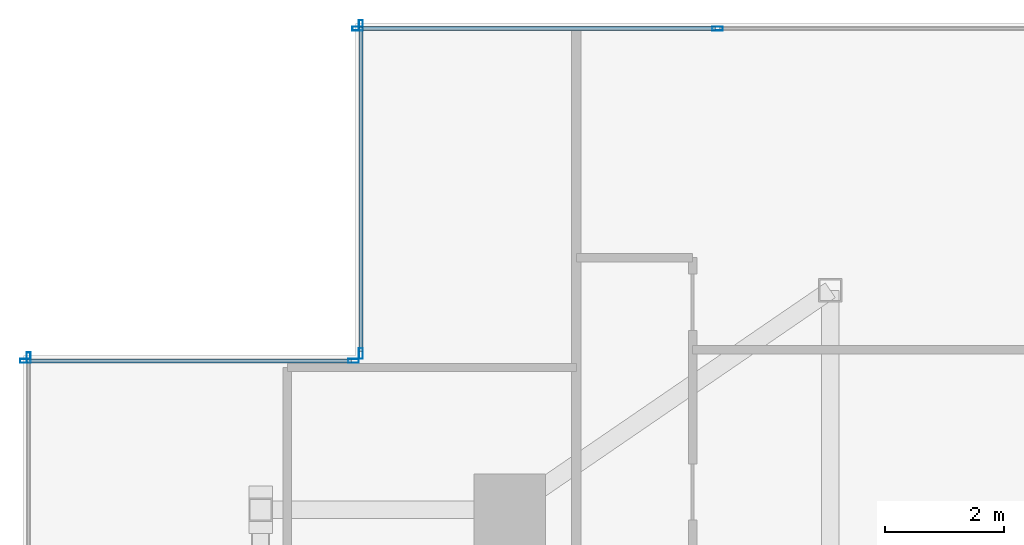
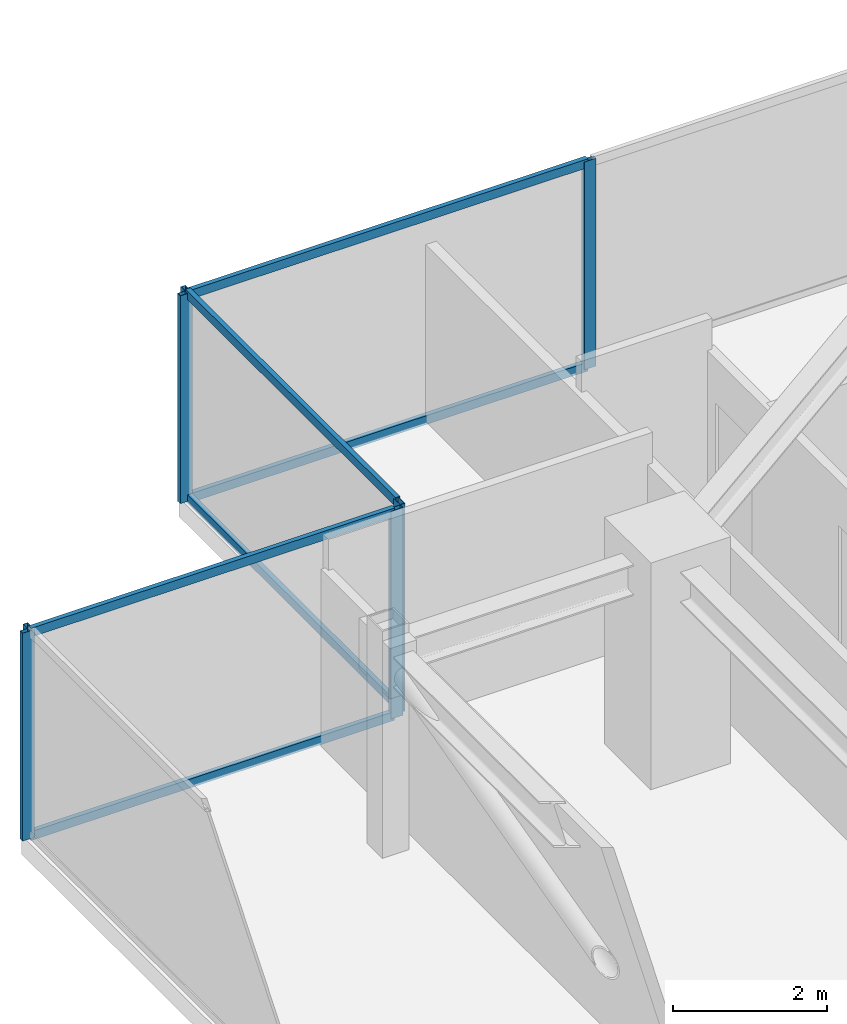
# One storey, part 12 of 16: 13 members, 4 elements without a shape of their own.
"""IFC4 building model written with IfcOpenShell, lengths in metres."""

from ifc_helpers import new_model, si_unit, direction, frame, origin, origin_2d, place, context, subcontext, project, spatial, hollow_rectangle, extrude, source, transform, mapped, material, material_profile, profile_set, type_object, type_shapes, element, aggregate, save


model = new_model("IFC4")

# Units and contexts
model_context = context("Model", 3, precision=1e-05, world=origin(), true_north=direction((0.0, 1.0)))
body_context = subcontext(model_context, "Body", "Model", "MODEL_VIEW")
ifc_project = project(units=[si_unit("LENGTHUNIT", "METRE"), si_unit("AREAUNIT", "SQUARE_METRE"), si_unit("VOLUMEUNIT", "CUBIC_METRE"), si_unit("PLANEANGLEUNIT", "RADIAN"), si_unit("MASSUNIT", "GRAM", prefix="KILO")], contexts=[model_context])

# Site, building, storey
site_placement = place(None, origin())
site = spatial("IfcSite", under=ifc_project, at=site_placement, CompositionType="ELEMENT")
building_placement = place(site_placement, origin())
building = spatial("IfcBuilding", under=site, at=building_placement, Name="Krantzveldt Concourse Tower", CompositionType="ELEMENT")
storey_placement = place(building_placement, frame((0.0, 0.0, 381.85009765625)))
storey = spatial("IfcBuildingStorey", under=building, at=storey_placement, Name="L94", CompositionType="ELEMENT", Elevation=381.85009765625)

# Curtain wall, members
ifc_material = material(Name="Anodised aluminium 6063-T6", Category="aluminium")
curtain_wall_type = type_object("IfcCurtainWallType", Name="CW7", PredefinedType="USERDEFINED", material=ifc_material)
curtain_wall_1_placement = place(storey_placement, origin())
curtain_wall_1 = element("IfcCurtainWall", 1, at=curtain_wall_1_placement, inside=storey, type_object=curtain_wall_type, Name="CW-L94-WEST-03", ObjectType="UNITISED CURTAIN WALL", PredefinedType="USERDEFINED")
ifc_material_profile_1 = material_profile(ifc_material, hollow_rectangle(XDim=0.070068359375, YDim=0.139892578125, WallThickness=0.0048828125, at=origin_2d()), Name="Anodised aluminium 6063-T6", Category="aluminium")
ifc_profile_set_1 = profile_set([ifc_material_profile_1], Name="Anodised aluminium 6063-T6 - ALU-TRAN 140x70x5")
member_type_1 = type_object("IfcMemberType", Name="CW-TRN-150", PredefinedType="USERDEFINED", material=ifc_profile_set_1)
shared_shape_1 = source(origin(), body_context, "Body", "SweptSolid", [
    extrude(hollow_rectangle(XDim=0.070068359375, YDim=0.139892578125, WallThickness=0.0048828125, at=origin_2d()), origin(), (0.0, 0.0, 1.0), 5.4599609375),
])
member_1_placement = place(storey_placement, frame((22.68994140625, 45.6298828125, 0.034912109375), z_axis=(0.0, -1.0, 0.0), x_axis=(1.0, 0.0, 0.0)))
member_1 = element("IfcMember", 2, at=member_1_placement, type_object=member_type_1, Name="CW-CRN transom 1.1", ObjectType="TRANSOM", PredefinedType="USERDEFINED", context=body_context, shape_type="MappedRepresentation", body=[
    mapped(shared_shape_1, transform((0.0, 0.0, 0.0), x_axis=(1.0, 0.0, 0.0), y_axis=(0.0, 1.0, 0.0), z_axis=(0.0, 0.0, 1.0), scale=1.0)),
])
member_2_placement = place(storey_placement, frame((22.68994140625, 45.6298828125, 3.264892578125), z_axis=(0.0, -1.0, 0.0), x_axis=(1.0, 0.0, 0.0)))
member_2 = element("IfcMember", 3, at=member_2_placement, type_object=member_type_1, Name="CW-CRN transom 1.2", ObjectType="TRANSOM", PredefinedType="USERDEFINED", context=body_context, shape_type="MappedRepresentation", body=[
    mapped(shared_shape_1, transform((0.0, 0.0, 0.0), x_axis=(1.0, 0.0, 0.0), y_axis=(0.0, 1.0, 0.0), z_axis=(0.0, 0.0, 1.0), scale=1.0)),
])

curtain_wall_2_placement = place(storey_placement, origin())
curtain_wall_2 = element("IfcCurtainWall", 4, at=curtain_wall_2_placement, inside=storey, type_object=curtain_wall_type, Name="CW-L94-WEST-04", ObjectType="UNITISED CURTAIN WALL", PredefinedType="USERDEFINED")
member_3_placement = place(storey_placement, frame((22.530029296875, 40.010009765625, 0.034912109375), z_axis=(-1.0, 0.0, 0.0), x_axis=(0.0, -1.0, 0.0)))
member_3 = element("IfcMember", 5, at=member_3_placement, type_object=member_type_1, Name="CW-CRN transom 1.1", ObjectType="TRANSOM", PredefinedType="USERDEFINED", context=body_context, shape_type="MappedRepresentation", body=[
    mapped(shared_shape_1, transform((0.0, 0.0, 0.0), x_axis=(1.0, 0.0, 0.0), y_axis=(0.0, 1.0, 0.0), z_axis=(0.0, 0.0, 1.0), scale=1.0)),
])
member_4_placement = place(storey_placement, frame((22.530029296875, 40.010009765625, 3.264892578125), z_axis=(-1.0, 0.0, 0.0), x_axis=(0.0, -1.0, 0.0)))
member_4 = element("IfcMember", 6, at=member_4_placement, type_object=member_type_1, Name="CW-CRN transom 1.2", ObjectType="TRANSOM", PredefinedType="USERDEFINED", context=body_context, shape_type="MappedRepresentation", body=[
    mapped(shared_shape_1, transform((0.0, 0.0, 0.0), x_axis=(1.0, 0.0, 0.0), y_axis=(0.0, 1.0, 0.0), z_axis=(0.0, 0.0, 1.0), scale=1.0)),
])

curtain_wall_3_placement = place(storey_placement, origin())
curtain_wall_3 = element("IfcCurtainWall", 7, at=curtain_wall_3_placement, inside=storey, type_object=curtain_wall_type, Name="CW-L94-WEST-02", ObjectType="UNITISED CURTAIN WALL", PredefinedType="USERDEFINED")
shared_shape_2 = source(origin(), body_context, "Body", "SweptSolid", [
    extrude(hollow_rectangle(XDim=0.070068359375, YDim=0.139892578125, WallThickness=0.0048828125, at=origin_2d()), origin(), (0.0, 0.0, 1.0), 5.9951171875),
])
type_shapes(member_type_1, [shared_shape_1, shared_shape_2])
member_5_placement = place(storey_placement, frame((28.6650390625, 45.610107421875, 0.034912109375), z_axis=(-1.0, 0.0, 0.0), x_axis=(0.0, -1.0, 0.0)))
member_5 = element("IfcMember", 8, at=member_5_placement, type_object=member_type_1, Name="CW-CRN transom 2.1", ObjectType="TRANSOM", PredefinedType="USERDEFINED", context=body_context, shape_type="MappedRepresentation", body=[
    mapped(shared_shape_2, transform((0.0, 0.0, 0.0), x_axis=(1.0, 0.0, 0.0), y_axis=(0.0, 1.0, 0.0), z_axis=(0.0, 0.0, 1.0), scale=1.0)),
])
member_6_placement = place(storey_placement, frame((28.6650390625, 45.610107421875, 3.264892578125), z_axis=(-1.0, 0.0, 0.0), x_axis=(0.0, -1.0, 0.0)))
member_6 = element("IfcMember", 9, at=member_6_placement, type_object=member_type_1, Name="CW-CRN transom 2.2", ObjectType="TRANSOM", PredefinedType="USERDEFINED", context=body_context, shape_type="MappedRepresentation", body=[
    mapped(shared_shape_2, transform((0.0, 0.0, 0.0), x_axis=(1.0, 0.0, 0.0), y_axis=(0.0, 1.0, 0.0), z_axis=(0.0, 0.0, 1.0), scale=1.0)),
])
ifc_material_profile_2 = material_profile(ifc_material, hollow_rectangle(XDim=0.070068359375, YDim=0.179931640625, WallThickness=0.0048828125, at=origin_2d()), Name="Anodised aluminium 6063-T6", Category="aluminium")
ifc_profile_set_2 = profile_set([ifc_material_profile_2], Name="Anodised aluminium 6063-T6 - ALU-MULL 180x70x5")
member_type_2 = type_object("IfcMemberType", Name="CW-MUL-180", PredefinedType="MULLION", material=ifc_profile_set_2)
shared_shape_3 = source(origin(), body_context, "Body", "SweptSolid", [
    extrude(hollow_rectangle(XDim=0.070068359375, YDim=0.179931640625, WallThickness=0.0048828125, at=origin_2d()), origin(), (0.0, 0.0, 1.0), 3.2998046875),
])
type_shapes(member_type_2, [shared_shape_3])
member_7_placement = place(storey_placement, frame((28.699951171875, 45.610107421875, 0.0), z_axis=(0.0, 0.0, 1.0), x_axis=(0.0, -1.0, 0.0)))
member_7 = element("IfcMember", 10, at=member_7_placement, type_object=member_type_2, Name="CW-CRN mullion 2", PredefinedType="MULLION", context=body_context, shape_type="MappedRepresentation", body=[
    mapped(shared_shape_3, transform((0.0, 0.0, 0.0), x_axis=(1.0, 0.0, 0.0), y_axis=(0.0, 1.0, 0.0), z_axis=(0.0, 0.0, 1.0), scale=1.0)),
])
member_8_placement = place(storey_placement, frame((22.635009765625, 45.610107421875, 0.0), z_axis=(0.0, 0.0, 1.0), x_axis=(0.0, -1.0, 0.0)))
member_8 = element("IfcMember", 11, at=member_8_placement, type_object=member_type_2, Name="CW-CRN mullion 3", PredefinedType="MULLION", context=body_context, shape_type="MappedRepresentation", body=[
    mapped(shared_shape_3, transform((0.0, 0.0, 0.0), x_axis=(1.0, 0.0, 0.0), y_axis=(0.0, 1.0, 0.0), z_axis=(0.0, 0.0, 1.0), scale=1.0)),
])
aggregate(curtain_wall_3, [member_7, member_8, member_5, member_6])

# Member
member_9_placement = place(storey_placement, frame((22.68994140625, 45.6650390625, 0.0), z_axis=(0.0, 0.0, 1.0), x_axis=(1.0, 0.0, 0.0)))
member_9 = element("IfcMember", 12, at=member_9_placement, type_object=member_type_2, Name="CW-CRN mullion 1", PredefinedType="MULLION", context=body_context, shape_type="MappedRepresentation", body=[
    mapped(shared_shape_3, transform((0.0, 0.0, 0.0), x_axis=(1.0, 0.0, 0.0), y_axis=(0.0, 1.0, 0.0), z_axis=(0.0, 0.0, 1.0), scale=1.0)),
])

member_10_placement = place(storey_placement, frame((22.68994140625, 40.135009765625, 0.0), z_axis=(0.0, 0.0, 1.0), x_axis=(1.0, 0.0, 0.0)))
member_10 = element("IfcMember", 13, at=member_10_placement, type_object=member_type_2, Name="CW-CRN mullion 2", PredefinedType="MULLION", context=body_context, shape_type="MappedRepresentation", body=[
    mapped(shared_shape_3, transform((0.0, 0.0, 0.0), x_axis=(1.0, 0.0, 0.0), y_axis=(0.0, 1.0, 0.0), z_axis=(0.0, 0.0, 1.0), scale=1.0)),
])

aggregate(curtain_wall_1, [member_9, member_10, member_1, member_2])

member_11_placement = place(storey_placement, frame((22.56494140625, 40.010009765625, 0.0), z_axis=(0.0, 0.0, 1.0), x_axis=(0.0, -1.0, 0.0)))
member_11 = element("IfcMember", 14, at=member_11_placement, type_object=member_type_2, Name="CW-CRN mullion 1", PredefinedType="MULLION", context=body_context, shape_type="MappedRepresentation", body=[
    mapped(shared_shape_3, transform((0.0, 0.0, 0.0), x_axis=(1.0, 0.0, 0.0), y_axis=(0.0, 1.0, 0.0), z_axis=(0.0, 0.0, 1.0), scale=1.0)),
])

member_12_placement = place(storey_placement, frame((17.034912109375, 40.010009765625, 0.0), z_axis=(0.0, 0.0, 1.0), x_axis=(0.0, -1.0, 0.0)))
member_12 = element("IfcMember", 15, at=member_12_placement, type_object=member_type_2, Name="CW-CRN mullion 2", PredefinedType="MULLION", context=body_context, shape_type="MappedRepresentation", body=[
    mapped(shared_shape_3, transform((0.0, 0.0, 0.0), x_axis=(1.0, 0.0, 0.0), y_axis=(0.0, 1.0, 0.0), z_axis=(0.0, 0.0, 1.0), scale=1.0)),
])

aggregate(curtain_wall_2, [member_11, member_12, member_3, member_4])

# Curtain wall, member
curtain_wall_4_placement = place(storey_placement, origin())
curtain_wall_4 = element("IfcCurtainWall", 16, at=curtain_wall_4_placement, inside=storey, type_object=curtain_wall_type, Name="CW-L94-WEST-05", ObjectType="UNITISED CURTAIN WALL", PredefinedType="USERDEFINED")
member_13_placement = place(storey_placement, frame((17.090087890625, 40.06494140625, 0.0), z_axis=(0.0, 0.0, 1.0), x_axis=(1.0, 0.0, 0.0)))
member_13 = element("IfcMember", 17, at=member_13_placement, type_object=member_type_2, Name="CW-CRN mullion 1", PredefinedType="MULLION", context=body_context, shape_type="MappedRepresentation", body=[
    mapped(shared_shape_3, transform((0.0, 0.0, 0.0), x_axis=(1.0, 0.0, 0.0), y_axis=(0.0, 1.0, 0.0), z_axis=(0.0, 0.0, 1.0), scale=1.0)),
])
aggregate(curtain_wall_4, [member_13])

save(model, "model.ifc")
